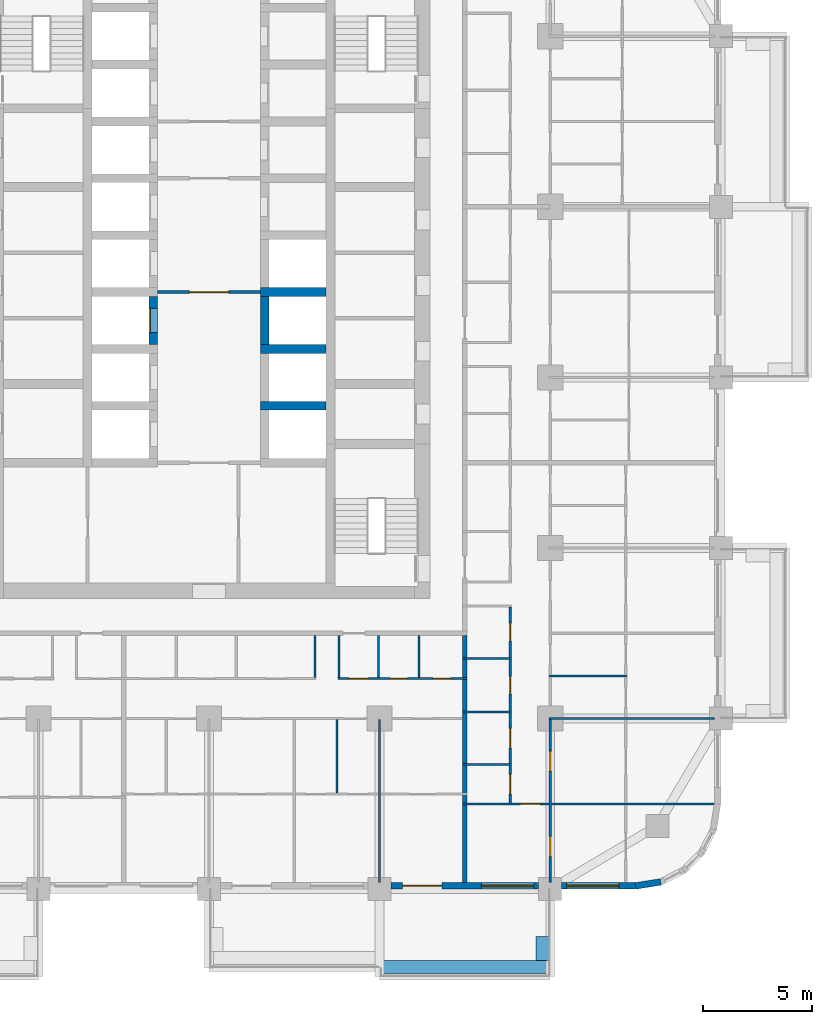
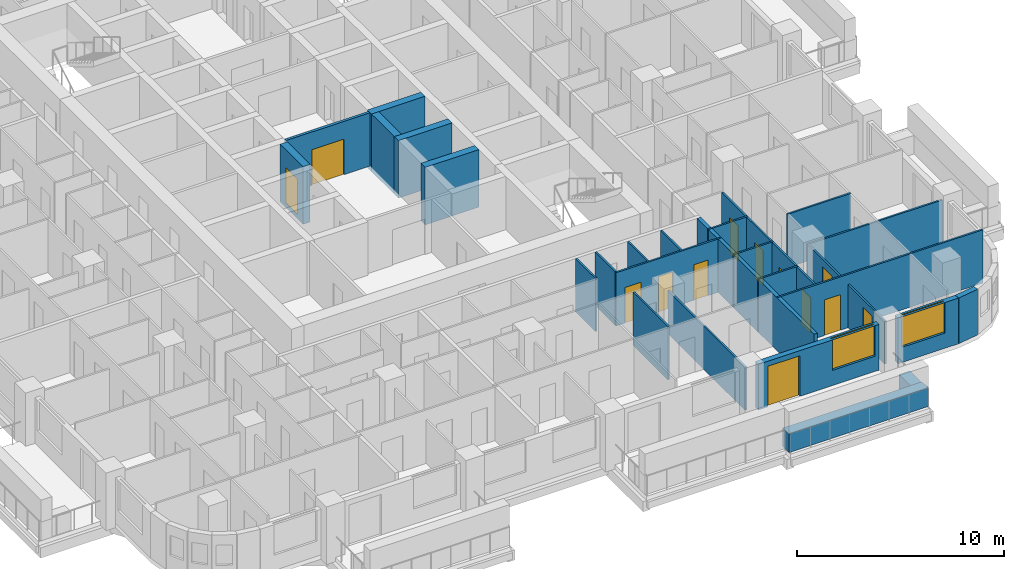
# One storey, part 7 of 18: 27 walls, 13 doors, 2 windows, 15 openings.
"""IFC4 building model written with IfcOpenShell, lengths in metres."""

from ifc_helpers import new_model, si_unit, direction, frame, frame_2d, origin, place, context, subcontext, project, spatial, rectangle, extrude, material, layer, layer_set, type_object, element, fill, save


model = new_model("IFC4")

# Units and contexts
model_context = context("Model", 3, precision=1e-05, world=origin(), true_north=direction((0.0, 1.0)))
body_context = subcontext(model_context, "Body", "Model", "MODEL_VIEW")
ifc_project = project(units=[si_unit("LENGTHUNIT", "METRE"), si_unit("AREAUNIT", "SQUARE_METRE"), si_unit("VOLUMEUNIT", "CUBIC_METRE"), si_unit("PLANEANGLEUNIT", "RADIAN"), si_unit("MASSUNIT", "GRAM", prefix="KILO")], contexts=[model_context])

# Site, building, storey
site_placement = place(None, origin())
site = spatial("IfcSite", under=ifc_project, at=site_placement, CompositionType="ELEMENT")
building_placement = place(site_placement, origin())
building = spatial("IfcBuilding", under=site, at=building_placement, Name="Ludao Terraces", CompositionType="ELEMENT")
storey_placement = place(building_placement, frame((0.0, 0.0, 33.10009765625)))
storey = spatial("IfcBuildingStorey", under=building, at=storey_placement, Name="L08", CompositionType="ELEMENT", Elevation=33.10009765625)

# Walls
ifc_material_1 = material(Name="Concrete C40", Category="concrete")
ifc_layer_1 = layer(ifc_material_1, 0.60009765625)
ifc_layer_set_1 = layer_set([ifc_layer_1], Name="ENV Planter trough 600")
wall_type_1 = type_object("IfcWallType", Name="ENV Planter trough 600", PredefinedType="USERDEFINED", material=ifc_layer_set_1)
wall_1_placement = place(storey_placement, frame((92.800048828125, 38.050048828125, 0.0), z_axis=(0.0, 0.0, 1.0), x_axis=(1.0, 0.0, 0.0)))
element("IfcWall", 1, at=wall_1_placement, inside=storey, type_object=wall_type_1, Name="PL-L08-S4", ObjectType="PLANTER", PredefinedType="USERDEFINED", context=body_context, shape_type="SweptSolid", body=[
    extrude(rectangle(XDim=7.800048828125, YDim=0.60009765625, at=frame_2d((3.89990234375, 0.0))), origin(), (0.0, 0.0, 1.0), 1.099853515625),
])
wall_2_placement = place(storey_placement, frame((100.25, 38.35009765625, 0.0), z_axis=(0.0, 0.0, 1.0), x_axis=(0.0, 1.0, 0.0)))
element("IfcWall", 2, at=wall_2_placement, inside=storey, type_object=wall_type_1, Name="PL-L08-S4-SB", ObjectType="PLANTER", PredefinedType="USERDEFINED", context=body_context, shape_type="SweptSolid", body=[
    extrude(rectangle(XDim=1.099853515625, YDim=0.60009765625, at=frame_2d((0.5498046875, 0.0))), origin(), (0.0, 0.0, 1.0), 1.099853515625),
])

# Wall, openings, door, window
ifc_material_2 = material(Name="Granite cladding", Category="masonry")
ifc_layer_2 = layer(ifc_material_2, 0.0400390625, Category="stone")
ifc_material_3 = material(Name="Mineral wool")
ifc_layer_3 = layer(ifc_material_3, 0.06005859375)
ifc_layer_4 = layer(ifc_material_1, 0.199951171875, Category="concrete")
ifc_layer_set_2 = layer_set([ifc_layer_2, ifc_layer_3, ifc_layer_4], Name="ENV Stone-clad wall 300")
wall_type_2 = type_object("IfcWallType", Name="ENV Stone-clad wall 300", PredefinedType="SOLIDWALL", material=ifc_layer_set_2)
wall_3_placement = place(storey_placement, frame((93.324951171875, 41.75, 0.0), z_axis=(0.0, 0.0, 1.0), x_axis=(1.0, 0.0, 0.0)))
wall_3 = element("IfcWall", 3, at=wall_3_placement, inside=storey, type_object=wall_type_2, Name="EW-L08-S5", PredefinedType="SOLIDWALL", context=body_context, shape_type="SweptSolid", body=[
    extrude(rectangle(XDim=6.75, YDim=0.300048828125, at=frame_2d((3.375, 0.0))), origin(), (0.0, 0.0, 1.0), 2.699951171875),
])
opening_1_placement = place(wall_3_placement, frame((0.52490234375, 0.0, 0.0)))
opening_1 = element("IfcOpeningElement", 4, at=opening_1_placement, cuts=wall_3, Name="Opening BD", PredefinedType="OPENING", context=body_context, shape_type="SweptSolid", body=[
    extrude(rectangle(XDim=1.800048828125, YDim=2.39990234375, at=frame_2d((0.89990234375, 1.199951171875))), frame((0.0, 0.16015625, 0.0), z_axis=(0.0, -1.0, 0.0), x_axis=(1.0, 0.0, 0.0)), (0.0, 0.0, 1.0), 0.320068359375),
])
opening_2_placement = place(wall_3_placement, frame((4.125, 0.0, 0.89990234375)))
opening_2 = element("IfcOpeningElement", 5, at=opening_2_placement, cuts=wall_3, Name="Opening W1", PredefinedType="OPENING", context=body_context, shape_type="SweptSolid", body=[
    extrude(rectangle(XDim=2.39990234375, YDim=1.800048828125, at=frame_2d((1.199951171875, 0.89990234375))), frame((0.0, 0.16015625, 0.0), z_axis=(0.0, -1.0, 0.0), x_axis=(1.0, 0.0, 0.0)), (0.0, 0.0, 1.0), 0.320068359375),
])
ifc_material_4 = material(Name="Aluminium glazed door", Category="aluminium")
ifc_layer_5 = layer(ifc_material_4, 0.06005859375)
ifc_layer_set_3 = layer_set([ifc_layer_5], Name="ENV Balcony door BD 1800x2400")
door_type_1 = type_object("IfcDoorType", Name="ENV Balcony door BD 1800x2400", OperationType="DOUBLE_DOOR_SINGLE_SWING", PredefinedType="DOOR", material=ifc_layer_set_3)
door_1_placement = place(opening_1_placement, origin())
door_1 = element("IfcDoor", 6, at=door_1_placement, inside=storey, type_object=door_type_1, Name="BD-L08-S5-1", OperationType="DOUBLE_DOOR_SINGLE_SWING", OverallHeight=2.39990234375, OverallWidth=1.800048828125, PredefinedType="DOOR", context=body_context, shape_type="SweptSolid", body=[
    extrude(rectangle(XDim=1.800048828125, YDim=2.39990234375, at=frame_2d((0.89990234375, 1.199951171875))), frame((0.0, 0.02490234375, 0.0), z_axis=(0.0, -1.0, 0.0), x_axis=(1.0, 0.0, 0.0)), (0.0, 0.0, 1.0), 0.050048828125),
])
fill(opening_1, door_1)
ifc_material_5 = material(Name="Clear glass in aluminium frame", Category="aluminium")
ifc_layer_6 = layer(ifc_material_5, 0.06005859375)
ifc_layer_set_4 = layer_set([ifc_layer_6], Name="ENV Window W1 2400x1800")
window_type = type_object("IfcWindowType", Name="ENV Window W1 2400x1800", PartitioningType="DOUBLE_PANEL_VERTICAL", PredefinedType="WINDOW", material=ifc_layer_set_4)
window_1_placement = place(opening_2_placement, origin())
window_1 = element("IfcWindow", 7, at=window_1_placement, inside=storey, type_object=window_type, Name="W-L08-S5-2", OverallHeight=1.800048828125, OverallWidth=2.39990234375, PartitioningType="DOUBLE_PANEL_VERTICAL", PredefinedType="WINDOW", context=body_context, shape_type="SweptSolid", body=[
    extrude(rectangle(XDim=2.39990234375, YDim=1.800048828125, at=frame_2d((1.199951171875, 0.89990234375))), frame((0.0, 0.030029296875, 0.0), z_axis=(0.0, -1.0, 0.0), x_axis=(1.0, 0.0, 0.0)), (0.0, 0.0, 1.0), 0.06005859375),
])
fill(opening_2, window_1)

# Wall, opening, window
wall_4_placement = place(storey_placement, frame((101.125, 41.75, 0.0), z_axis=(0.0, 0.0, 1.0), x_axis=(1.0, 0.0, 0.0)))
wall_4 = element("IfcWall", 8, at=wall_4_placement, inside=storey, type_object=wall_type_2, Name="EW-L08-S6", PredefinedType="SOLIDWALL", context=body_context, shape_type="SweptSolid", body=[
    extrude(rectangle(XDim=3.375, YDim=0.300048828125, at=frame_2d((1.6875, 0.0))), origin(), (0.0, 0.0, 1.0), 2.699951171875),
])
opening_3_placement = place(wall_4_placement, frame((0.22509765625, 0.0, 0.89990234375)))
opening_3 = element("IfcOpeningElement", 9, at=opening_3_placement, cuts=wall_4, Name="Opening W1", PredefinedType="OPENING", context=body_context, shape_type="SweptSolid", body=[
    extrude(rectangle(XDim=2.39990234375, YDim=1.800048828125, at=frame_2d((1.199951171875, 0.89990234375))), frame((0.0, 0.16015625, 0.0), z_axis=(0.0, -1.0, 0.0), x_axis=(1.0, 0.0, 0.0)), (0.0, 0.0, 1.0), 0.320068359375),
])
window_2_placement = place(opening_3_placement, origin())
window_2 = element("IfcWindow", 10, at=window_2_placement, inside=storey, type_object=window_type, Name="W-L08-S6-1", OverallHeight=1.800048828125, OverallWidth=2.39990234375, PartitioningType="DOUBLE_PANEL_VERTICAL", PredefinedType="WINDOW", context=body_context, shape_type="SweptSolid", body=[
    extrude(rectangle(XDim=2.39990234375, YDim=1.800048828125, at=frame_2d((1.199951171875, 0.89990234375))), frame((0.0, 0.030029296875, 0.0), z_axis=(0.0, -1.0, 0.0), x_axis=(1.0, 0.0, 0.0)), (0.0, 0.0, 1.0), 0.06005859375),
])
fill(opening_3, window_2)

# Wall
wall_5_placement = place(storey_placement, frame((104.5, 41.75, 0.0), z_axis=(0.0, 0.0, 1.0), x_axis=(0.987678452879, 0.156496880861, 0.0)))
element("IfcWall", 11, at=wall_5_placement, inside=storey, type_object=wall_type_2, Name="EW-L08-SE1", PredefinedType="SOLIDWALL", context=body_context, shape_type="SweptSolid", body=[
    extrude(rectangle(XDim=1.173095703125, YDim=0.300048828125, at=frame_2d((0.58642578125, 0.0))), origin(), (0.0, 0.0, 1.0), 2.699951171875),
])

# Wall, opening, door
ifc_material_6 = material(Name="Fire-rated gypsum plasterboard", Category="gypsum")
ifc_layer_7 = layer(ifc_material_6, 0.012451171875, Category="gypsum")
ifc_layer_8 = layer(ifc_material_3, 0.10009765625, Name="insulation")
ifc_material_7 = material(Name="Steel Q235", Category="steel")
ifc_layer_9 = layer(ifc_material_7, 0.02490234375, Name="stud")
ifc_layer_10 = layer(ifc_material_6, 0.012451171875, Category="gypsum")
ifc_layer_set_5 = layer_set([ifc_layer_7, ifc_layer_8, ifc_layer_9, ifc_layer_10], Name="INT Core partition 150")
wall_type_3 = type_object("IfcWallType", Name="INT Core partition 150", PredefinedType="PARTITIONING", material=ifc_layer_set_5)
wall_6_placement = place(storey_placement, frame((82.650146484375, 68.89990234375, 0.0), z_axis=(0.0, 0.0, 1.0), x_axis=(1.0, 0.0, 0.0)))
wall_6 = element("IfcWall", 12, at=wall_6_placement, inside=storey, type_object=wall_type_3, Name="PW-L08-PW047", PredefinedType="PARTITIONING", context=body_context, shape_type="SweptSolid", body=[
    extrude(rectangle(XDim=4.699951171875, YDim=0.14990234375, at=frame_2d((2.35009765625, 0.0))), origin(), (0.0, 0.0, 1.0), 3.14990234375),
])
opening_4_placement = place(wall_6_placement, frame((1.449951171875, 0.0, 0.0)))
opening_4 = element("IfcOpeningElement", 13, at=opening_4_placement, cuts=wall_6, Name="Opening R02-096", PredefinedType="OPENING", context=body_context, shape_type="SweptSolid", body=[
    extrude(rectangle(XDim=1.800048828125, YDim=2.10009765625, at=frame_2d((0.89990234375, 1.050048828125))), frame((0.0, 0.0849609375, 0.0), z_axis=(0.0, -1.0, 0.0), x_axis=(1.0, 0.0, 0.0)), (0.0, 0.0, 1.0), 0.169921875),
])
door_type_2 = type_object("IfcDoorType", Name="INT Fire lobby door 1800", OperationType="DOUBLE_DOOR_SINGLE_SWING", PredefinedType="DOOR", material=ifc_material_7)
door_2_placement = place(opening_4_placement, origin())
door_2 = element("IfcDoor", 14, at=door_2_placement, inside=storey, type_object=door_type_2, Name="DOOR 096", OperationType="DOUBLE_DOOR_SINGLE_SWING", OverallHeight=2.10009765625, OverallWidth=1.800048828125, PredefinedType="DOOR", context=body_context, shape_type="SweptSolid", body=[
    extrude(rectangle(XDim=1.800048828125, YDim=2.10009765625, at=frame_2d((0.89990234375, 1.050048828125))), frame((0.0, 0.02490234375, 0.0), z_axis=(0.0, -1.0, 0.0), x_axis=(1.0, 0.0, 0.0)), (0.0, 0.0, 1.0), 0.050048828125),
])
fill(opening_4, door_2)

ifc_material_8 = material(Name="Gypsum plasterboard", Category="gypsum")
ifc_layer_11 = layer(ifc_material_8, 0.012451171875, Category="gypsum")
ifc_layer_12 = layer(ifc_material_3, 0.06005859375, Name="insulation")
ifc_layer_13 = layer(ifc_material_7, 0.014892578125, Name="stud")
ifc_layer_14 = layer(ifc_material_8, 0.012451171875, Category="gypsum")
ifc_layer_set_6 = layer_set([ifc_layer_11, ifc_layer_12, ifc_layer_13, ifc_layer_14], Name="INT Partition 100")
wall_type_4 = type_object("IfcWallType", Name="INT Partition 100", PredefinedType="PARTITIONING", material=ifc_layer_set_6)
wall_7_placement = place(storey_placement, frame((96.60009765625, 45.5, 0.0), z_axis=(0.0, 0.0, 1.0), x_axis=(1.0, 0.0, 0.0)))
wall_7 = element("IfcWall", 15, at=wall_7_placement, inside=storey, type_object=wall_type_4, Name="PW-L08-PW001", PredefinedType="PARTITIONING", context=body_context, shape_type="SweptSolid", body=[
    extrude(rectangle(XDim=11.5, YDim=0.10009765625, at=frame_2d((5.75, 0.0))), origin(), (0.0, 0.0, 1.0), 3.14990234375),
])
opening_5_placement = place(wall_7_placement, frame((2.635009765625, 0.0, 0.0)))
opening_5 = element("IfcOpeningElement", 16, at=opening_5_placement, cuts=wall_7, Name="Opening R02-006", PredefinedType="OPENING", context=body_context, shape_type="SweptSolid", body=[
    extrude(rectangle(XDim=0.89990234375, YDim=2.10009765625, at=frame_2d((0.449951171875, 1.050048828125))), frame((0.0, 0.06005859375, 0.0), z_axis=(0.0, -1.0, 0.0), x_axis=(1.0, 0.0, 0.0)), (0.0, 0.0, 1.0), 0.1201171875),
])
ifc_material_9 = material(Name="Timber door leaf", Category="wood")
door_type_3 = type_object("IfcDoorType", Name="INT Room door 900", OperationType="SINGLE_SWING_LEFT", PredefinedType="DOOR", material=ifc_material_9)
door_3_placement = place(opening_5_placement, origin())
door_3 = element("IfcDoor", 17, at=door_3_placement, inside=storey, type_object=door_type_3, Name="DOOR 006", OperationType="SINGLE_SWING_LEFT", OverallHeight=2.10009765625, OverallWidth=0.89990234375, PredefinedType="DOOR", context=body_context, shape_type="SweptSolid", body=[
    extrude(rectangle(XDim=0.89990234375, YDim=2.10009765625, at=frame_2d((0.449951171875, 1.050048828125))), frame((0.0, 0.02490234375, 0.0), z_axis=(0.0, -1.0, 0.0), x_axis=(1.0, 0.0, 0.0)), (0.0, 0.0, 1.0), 0.050048828125),
])
fill(opening_5, door_3)

# Walls
wall_8_placement = place(storey_placement, frame((96.60009765625, 47.300048828125, 0.0), z_axis=(0.0, 0.0, 1.0), x_axis=(1.0, 0.0, 0.0)))
element("IfcWall", 18, at=wall_8_placement, inside=storey, type_object=wall_type_4, Name="PW-L08-PW004", PredefinedType="PARTITIONING", context=body_context, shape_type="SweptSolid", body=[
    extrude(rectangle(XDim=2.219970703125, YDim=0.10009765625, at=frame_2d((1.10986328125, 0.0))), origin(), (0.0, 0.0, 1.0), 3.14990234375),
])
wall_9_placement = place(storey_placement, frame((100.550048828125, 49.39990234375, 0.0), z_axis=(0.0, 0.0, 1.0), x_axis=(1.0, 0.0, 0.0)))
element("IfcWall", 19, at=wall_9_placement, inside=storey, type_object=wall_type_4, Name="PW-L08-PW008", PredefinedType="PARTITIONING", context=body_context, shape_type="SweptSolid", body=[
    extrude(rectangle(XDim=7.550048828125, YDim=0.10009765625, at=frame_2d((3.77490234375, 0.0))), origin(), (0.0, 0.0, 1.0), 2.5498046875),
])
wall_10_placement = place(storey_placement, frame((96.60009765625, 49.699951171875, 0.0), z_axis=(0.0, 0.0, 1.0), x_axis=(1.0, 0.0, 0.0)))
element("IfcWall", 20, at=wall_10_placement, inside=storey, type_object=wall_type_4, Name="PW-L08-PW009", PredefinedType="PARTITIONING", context=body_context, shape_type="SweptSolid", body=[
    extrude(rectangle(XDim=2.219970703125, YDim=0.10009765625, at=frame_2d((1.10986328125, 0.0))), origin(), (0.0, 0.0, 1.0), 3.14990234375),
])

# Wall, openings, doors
wall_11_placement = place(storey_placement, frame((90.900146484375, 51.22998046875, 0.0), z_axis=(0.0, 0.0, 1.0), x_axis=(1.0, 0.0, 0.0)))
wall_11 = element("IfcWall", 21, at=wall_11_placement, inside=storey, type_object=wall_type_4, Name="PW-L08-PW013", PredefinedType="PARTITIONING", context=body_context, shape_type="SweptSolid", body=[
    extrude(rectangle(XDim=5.89990234375, YDim=0.10009765625, at=frame_2d((2.949951171875, 0.0))), origin(), (0.0, 0.0, 1.0), 3.14990234375),
])
opening_6_placement = place(wall_11_placement, frame((0.5, 0.0, 0.0)))
opening_6 = element("IfcOpeningElement", 22, at=opening_6_placement, cuts=wall_11, Name="Opening R02-039", PredefinedType="OPENING", context=body_context, shape_type="SweptSolid", body=[
    extrude(rectangle(XDim=0.89990234375, YDim=2.10009765625, at=frame_2d((0.449951171875, 1.050048828125))), frame((0.0, 0.06005859375, 0.0), z_axis=(0.0, -1.0, 0.0), x_axis=(1.0, 0.0, 0.0)), (0.0, 0.0, 1.0), 0.1201171875),
])
opening_7_placement = place(wall_11_placement, frame((2.375, 0.0, 0.0)))
opening_7 = element("IfcOpeningElement", 23, at=opening_7_placement, cuts=wall_11, Name="Opening R02-040", PredefinedType="OPENING", context=body_context, shape_type="SweptSolid", body=[
    extrude(rectangle(XDim=0.800048828125, YDim=2.10009765625, at=frame_2d((0.39990234375, 1.050048828125))), frame((0.0, 0.06005859375, 0.0), z_axis=(0.0, -1.0, 0.0), x_axis=(1.0, 0.0, 0.0)), (0.0, 0.0, 1.0), 0.1201171875),
])
opening_8_placement = place(wall_11_placement, frame((4.35009765625, 0.0, 0.0)))
opening_8 = element("IfcOpeningElement", 24, at=opening_8_placement, cuts=wall_11, Name="Opening R02-041", PredefinedType="OPENING", context=body_context, shape_type="SweptSolid", body=[
    extrude(rectangle(XDim=0.800048828125, YDim=2.10009765625, at=frame_2d((0.39990234375, 1.050048828125))), frame((0.0, 0.06005859375, 0.0), z_axis=(0.0, -1.0, 0.0), x_axis=(1.0, 0.0, 0.0)), (0.0, 0.0, 1.0), 0.1201171875),
])
door_type_4 = type_object("IfcDoorType", Name="INT Bathroom door 900", OperationType="SINGLE_SWING_LEFT", PredefinedType="DOOR", material=ifc_material_9)
door_4_placement = place(opening_6_placement, origin())
door_4 = element("IfcDoor", 25, at=door_4_placement, inside=storey, type_object=door_type_4, Name="DOOR 039", OperationType="SINGLE_SWING_LEFT", OverallHeight=2.10009765625, OverallWidth=0.89990234375, PredefinedType="DOOR", context=body_context, shape_type="SweptSolid", body=[
    extrude(rectangle(XDim=0.89990234375, YDim=2.10009765625, at=frame_2d((0.449951171875, 1.050048828125))), frame((0.0, 0.02490234375, 0.0), z_axis=(0.0, -1.0, 0.0), x_axis=(1.0, 0.0, 0.0)), (0.0, 0.0, 1.0), 0.050048828125),
])
fill(opening_6, door_4)
door_type_5 = type_object("IfcDoorType", Name="INT Store door 800", OperationType="SINGLE_SWING_LEFT", PredefinedType="DOOR", material=ifc_material_9)
door_5_placement = place(opening_7_placement, origin())
door_5 = element("IfcDoor", 26, at=door_5_placement, inside=storey, type_object=door_type_5, Name="DOOR 040", OperationType="SINGLE_SWING_LEFT", OverallHeight=2.10009765625, OverallWidth=0.800048828125, PredefinedType="DOOR", context=body_context, shape_type="SweptSolid", body=[
    extrude(rectangle(XDim=0.800048828125, YDim=2.10009765625, at=frame_2d((0.39990234375, 1.050048828125))), frame((0.0, 0.02490234375, 0.0), z_axis=(0.0, -1.0, 0.0), x_axis=(1.0, 0.0, 0.0)), (0.0, 0.0, 1.0), 0.050048828125),
])
fill(opening_7, door_5)
door_6_placement = place(opening_8_placement, origin())
door_6 = element("IfcDoor", 27, at=door_6_placement, inside=storey, type_object=door_type_5, Name="DOOR 041", OperationType="SINGLE_SWING_RIGHT", OverallHeight=2.10009765625, OverallWidth=0.800048828125, PredefinedType="DOOR", context=body_context, shape_type="SweptSolid", body=[
    extrude(rectangle(XDim=0.800048828125, YDim=2.10009765625, at=frame_2d((0.39990234375, 1.050048828125))), frame((0.0, 0.02490234375, 0.0), z_axis=(0.0, -1.0, 0.0), x_axis=(1.0, 0.0, 0.0)), (0.0, 0.0, 1.0), 0.050048828125),
])
fill(opening_8, door_6)

# Walls
wall_12_placement = place(storey_placement, frame((100.550048828125, 51.35009765625, 0.0), z_axis=(0.0, 0.0, 1.0), x_axis=(1.0, 0.0, 0.0)))
element("IfcWall", 28, at=wall_12_placement, inside=storey, type_object=wall_type_4, Name="PW-L08-PW015", PredefinedType="PARTITIONING", context=body_context, shape_type="SweptSolid", body=[
    extrude(rectangle(XDim=3.550048828125, YDim=0.10009765625, at=frame_2d((1.77490234375, 0.0))), origin(), (0.0, 0.0, 1.0), 3.14990234375),
])
wall_13_placement = place(storey_placement, frame((96.60009765625, 52.14990234375, 0.0), z_axis=(0.0, 0.0, 1.0), x_axis=(1.0, 0.0, 0.0)))
element("IfcWall", 29, at=wall_13_placement, inside=storey, type_object=wall_type_4, Name="PW-L08-PW016", PredefinedType="PARTITIONING", context=body_context, shape_type="SweptSolid", body=[
    extrude(rectangle(XDim=2.219970703125, YDim=0.10009765625, at=frame_2d((1.10986328125, 0.0))), origin(), (0.0, 0.0, 1.0), 3.14990234375),
])
wall_14_placement = place(storey_placement, frame((89.85009765625, 51.280029296875, 0.0), z_axis=(0.0, 0.0, 1.0), x_axis=(0.0, 1.0, 0.0)))
element("IfcWall", 30, at=wall_14_placement, inside=storey, type_object=wall_type_4, Name="PW-L08-PW108", PredefinedType="PARTITIONING", context=body_context, shape_type="SweptSolid", body=[
    extrude(rectangle(XDim=1.920166015625, YDim=0.10009765625, at=frame_2d((0.9599609375, 0.0))), origin(), (0.0, 0.0, 1.0), 3.14990234375),
])
wall_15_placement = place(storey_placement, frame((90.85009765625, 46.0, 0.0), z_axis=(0.0, 0.0, 1.0), x_axis=(0.0, 1.0, 0.0)))
element("IfcWall", 31, at=wall_15_placement, inside=storey, type_object=wall_type_4, Name="PW-L08-PW109", PredefinedType="PARTITIONING", context=body_context, shape_type="SweptSolid", body=[
    extrude(rectangle(XDim=3.35009765625, YDim=0.10009765625, at=frame_2d((1.675048828125, 0.0))), origin(), (0.0, 0.0, 1.0), 3.14990234375),
])
for number, where, z_axis, x_axis, name in (
    (32, (90.949951171875, 51.280029296875, 0.0), (0.0, 0.0, 1.0), (0.0, 1.0, 0.0), "PW-L08-PW110"),
    (33, (92.75, 51.280029296875, 0.0), (0.0, 0.0, 1.0), (0.0, 1.0, 0.0), "PW-L08-PW111"),
):
    element("IfcWall", number, at=place(storey_placement, frame(where, z_axis=z_axis, x_axis=x_axis)), inside=storey, type_object=wall_type_4, Name=name, PredefinedType="PARTITIONING", context=body_context, shape_type="SweptSolid", body=[
        extrude(rectangle(XDim=1.920166015625, YDim=0.10009765625, at=frame_2d((0.9599609375, 0.0))), origin(), (0.0, 0.0, 1.0), 3.14990234375),
    ])
wall_16_placement = place(storey_placement, frame((92.800048828125, 41.900146484375, 0.0), z_axis=(0.0, 0.0, 1.0), x_axis=(0.0, 1.0, 0.0)))
element("IfcWall", 34, at=wall_16_placement, inside=storey, type_object=wall_type_4, Name="PW-L08-PW112", PredefinedType="PARTITIONING", context=body_context, shape_type="SweptSolid", body=[
    extrude(rectangle(XDim=7.449951171875, YDim=0.10009765625, at=frame_2d((3.72509765625, 0.0))), origin(), (0.0, 0.0, 1.0), 2.5498046875),
])
wall_17_placement = place(storey_placement, frame((94.60009765625, 51.280029296875, 0.0), z_axis=(0.0, 0.0, 1.0), x_axis=(0.0, 1.0, 0.0)))
element("IfcWall", 35, at=wall_17_placement, inside=storey, type_object=wall_type_4, Name="PW-L08-PW114", PredefinedType="PARTITIONING", context=body_context, shape_type="SweptSolid", body=[
    extrude(rectangle(XDim=1.920166015625, YDim=0.10009765625, at=frame_2d((0.9599609375, 0.0))), origin(), (0.0, 0.0, 1.0), 3.14990234375),
])

# Wall, openings, doors
wall_18_placement = place(storey_placement, frame((98.77001953125, 45.550048828125, 0.0), z_axis=(0.0, 0.0, 1.0), x_axis=(0.0, 1.0, 0.0)))
wall_18 = element("IfcWall", 36, at=wall_18_placement, inside=storey, type_object=wall_type_4, Name="PW-L08-PW118", PredefinedType="PARTITIONING", context=body_context, shape_type="SweptSolid", body=[
    extrude(rectangle(XDim=8.949951171875, YDim=0.10009765625, at=frame_2d((4.47509765625, 0.0))), origin(), (0.0, 0.0, 1.0), 3.14990234375),
])
opening_9_placement = place(wall_18_placement, frame((0.39990234375, 0.0, 0.0)))
opening_9 = element("IfcOpeningElement", 37, at=opening_9_placement, cuts=wall_18, Name="Opening R02-016", PredefinedType="OPENING", context=body_context, shape_type="SweptSolid", body=[
    extrude(rectangle(XDim=0.89990234375, YDim=2.10009765625, at=frame_2d((0.449951171875, 1.050048828125))), frame((0.0, 0.06005859375, 0.0), z_axis=(0.0, -1.0, 0.0), x_axis=(1.0, 0.0, 0.0)), (0.0, 0.0, 1.0), 0.1201171875),
])
opening_10_placement = place(wall_18_placement, frame((2.5, 0.0, 0.0)))
opening_10 = element("IfcOpeningElement", 38, at=opening_10_placement, cuts=wall_18, Name="Opening R02-022", PredefinedType="OPENING", context=body_context, shape_type="SweptSolid", body=[
    extrude(rectangle(XDim=0.89990234375, YDim=2.10009765625, at=frame_2d((0.449951171875, 1.050048828125))), frame((0.0, 0.06005859375, 0.0), z_axis=(0.0, -1.0, 0.0), x_axis=(1.0, 0.0, 0.0)), (0.0, 0.0, 1.0), 0.1201171875),
])
opening_11_placement = place(wall_18_placement, frame((4.97509765625, 0.0, 0.0)))
opening_11 = element("IfcOpeningElement", 39, at=opening_11_placement, cuts=wall_18, Name="Opening R02-032", PredefinedType="OPENING", context=body_context, shape_type="SweptSolid", body=[
    extrude(rectangle(XDim=0.800048828125, YDim=2.10009765625, at=frame_2d((0.39990234375, 1.050048828125))), frame((0.0, 0.06005859375, 0.0), z_axis=(0.0, -1.0, 0.0), x_axis=(1.0, 0.0, 0.0)), (0.0, 0.0, 1.0), 0.1201171875),
])
opening_12_placement = place(wall_18_placement, frame((7.39990234375, 0.0, 0.0)))
opening_12 = element("IfcOpeningElement", 40, at=opening_12_placement, cuts=wall_18, Name="Opening R02-049", PredefinedType="OPENING", context=body_context, shape_type="SweptSolid", body=[
    extrude(rectangle(XDim=0.800048828125, YDim=2.10009765625, at=frame_2d((0.39990234375, 1.050048828125))), frame((0.0, 0.06005859375, 0.0), z_axis=(0.0, -1.0, 0.0), x_axis=(1.0, 0.0, 0.0)), (0.0, 0.0, 1.0), 0.1201171875),
])
door_7_placement = place(opening_9_placement, origin())
door_7 = element("IfcDoor", 41, at=door_7_placement, inside=storey, type_object=door_type_4, Name="DOOR 016", OperationType="SINGLE_SWING_LEFT", OverallHeight=2.10009765625, OverallWidth=0.89990234375, PredefinedType="DOOR", context=body_context, shape_type="SweptSolid", body=[
    extrude(rectangle(XDim=0.89990234375, YDim=2.10009765625, at=frame_2d((0.449951171875, 1.050048828125))), frame((0.0, 0.02490234375, 0.0), z_axis=(0.0, -1.0, 0.0), x_axis=(1.0, 0.0, 0.0)), (0.0, 0.0, 1.0), 0.050048828125),
])
fill(opening_9, door_7)
door_8_placement = place(opening_10_placement, origin())
door_8 = element("IfcDoor", 42, at=door_8_placement, inside=storey, type_object=door_type_4, Name="DOOR 022", OperationType="SINGLE_SWING_LEFT", OverallHeight=2.10009765625, OverallWidth=0.89990234375, PredefinedType="DOOR", context=body_context, shape_type="SweptSolid", body=[
    extrude(rectangle(XDim=0.89990234375, YDim=2.10009765625, at=frame_2d((0.449951171875, 1.050048828125))), frame((0.0, 0.02490234375, 0.0), z_axis=(0.0, -1.0, 0.0), x_axis=(1.0, 0.0, 0.0)), (0.0, 0.0, 1.0), 0.050048828125),
])
fill(opening_10, door_8)
door_9_placement = place(opening_11_placement, origin())
door_9 = element("IfcDoor", 43, at=door_9_placement, inside=storey, type_object=door_type_5, Name="DOOR 032", OperationType="SINGLE_SWING_RIGHT", OverallHeight=2.10009765625, OverallWidth=0.800048828125, PredefinedType="DOOR", context=body_context, shape_type="SweptSolid", body=[
    extrude(rectangle(XDim=0.800048828125, YDim=2.10009765625, at=frame_2d((0.39990234375, 1.050048828125))), frame((0.0, 0.02490234375, 0.0), z_axis=(0.0, -1.0, 0.0), x_axis=(1.0, 0.0, 0.0)), (0.0, 0.0, 1.0), 0.050048828125),
])
fill(opening_11, door_9)
door_10_placement = place(opening_12_placement, origin())
door_10 = element("IfcDoor", 44, at=door_10_placement, inside=storey, type_object=door_type_5, Name="DOOR 049", OperationType="SINGLE_SWING_RIGHT", OverallHeight=2.10009765625, OverallWidth=0.800048828125, PredefinedType="DOOR", context=body_context, shape_type="SweptSolid", body=[
    extrude(rectangle(XDim=0.800048828125, YDim=2.10009765625, at=frame_2d((0.39990234375, 1.050048828125))), frame((0.0, 0.02490234375, 0.0), z_axis=(0.0, -1.0, 0.0), x_axis=(1.0, 0.0, 0.0)), (0.0, 0.0, 1.0), 0.050048828125),
])
fill(opening_12, door_10)

wall_19_placement = place(storey_placement, frame((100.60009765625, 41.900146484375, 0.0), z_axis=(0.0, 0.0, 1.0), x_axis=(0.0, 1.0, 0.0)))
wall_19 = element("IfcWall", 45, at=wall_19_placement, inside=storey, type_object=wall_type_4, Name="PW-L08-PW122", PredefinedType="PARTITIONING", context=body_context, shape_type="SweptSolid", body=[
    extrude(rectangle(XDim=7.499755859375, YDim=0.10009765625, at=frame_2d((3.75, 0.0))), origin(), (0.0, 0.0, 1.0), 2.5498046875),
])
opening_13_placement = place(wall_19_placement, frame((1.199951171875, 0.0, 0.0)))
opening_13 = element("IfcOpeningElement", 46, at=opening_13_placement, cuts=wall_19, Name="Opening R02-003", PredefinedType="OPENING", context=body_context, shape_type="SweptSolid", body=[
    extrude(rectangle(XDim=0.89990234375, YDim=2.10009765625, at=frame_2d((0.449951171875, 1.050048828125))), frame((0.0, 0.06005859375, 0.0), z_axis=(0.0, -1.0, 0.0), x_axis=(1.0, 0.0, 0.0)), (0.0, 0.0, 1.0), 0.1201171875),
])
opening_14_placement = place(wall_19_placement, frame((5.10009765625, 0.0, 0.0)))
opening_14 = element("IfcOpeningElement", 47, at=opening_14_placement, cuts=wall_19, Name="Opening R02-020", PredefinedType="OPENING", context=body_context, shape_type="SweptSolid", body=[
    extrude(rectangle(XDim=0.89990234375, YDim=2.10009765625, at=frame_2d((0.449951171875, 1.050048828125))), frame((0.0, 0.06005859375, 0.0), z_axis=(0.0, -1.0, 0.0), x_axis=(1.0, 0.0, 0.0)), (0.0, 0.0, 1.0), 0.1201171875),
])
door_11_placement = place(opening_13_placement, origin())
door_11 = element("IfcDoor", 48, at=door_11_placement, inside=storey, type_object=door_type_3, Name="DOOR 003", OperationType="SINGLE_SWING_RIGHT", OverallHeight=2.10009765625, OverallWidth=0.89990234375, PredefinedType="DOOR", context=body_context, shape_type="SweptSolid", body=[
    extrude(rectangle(XDim=0.89990234375, YDim=2.10009765625, at=frame_2d((0.449951171875, 1.050048828125))), frame((0.0, 0.02490234375, 0.0), z_axis=(0.0, -1.0, 0.0), x_axis=(1.0, 0.0, 0.0)), (0.0, 0.0, 1.0), 0.050048828125),
])
fill(opening_13, door_11)
door_12_placement = place(opening_14_placement, origin())
door_12 = element("IfcDoor", 49, at=door_12_placement, inside=storey, type_object=door_type_3, Name="DOOR 020", OperationType="SINGLE_SWING_RIGHT", OverallHeight=2.10009765625, OverallWidth=0.89990234375, PredefinedType="DOOR", context=body_context, shape_type="SweptSolid", body=[
    extrude(rectangle(XDim=0.89990234375, YDim=2.10009765625, at=frame_2d((0.449951171875, 1.050048828125))), frame((0.0, 0.02490234375, 0.0), z_axis=(0.0, -1.0, 0.0), x_axis=(1.0, 0.0, 0.0)), (0.0, 0.0, 1.0), 0.050048828125),
])
fill(opening_14, door_12)

# Wall
ifc_material_10 = material(Name="Autoclaved aerated concrete block B06 A3.5", Category="concrete")
ifc_layer_15 = layer(ifc_material_10, 0.199951171875)
ifc_layer_set_7 = layer_set([ifc_layer_15], Name="INT Party wall 200")
wall_type_5 = type_object("IfcWallType", Name="INT Party wall 200", PredefinedType="PARTITIONING", material=ifc_layer_set_7)
wall_20_placement = place(storey_placement, frame((96.699951171875, 41.900146484375, 0.0), z_axis=(0.0, 0.0, 1.0), x_axis=(0.0, 1.0, 0.0)))
element("IfcWall", 50, at=wall_20_placement, inside=storey, type_object=wall_type_5, Name="PW-L08-PW115", PredefinedType="PARTITIONING", context=body_context, shape_type="SweptSolid", body=[
    extrude(rectangle(XDim=11.300048828125, YDim=0.199951171875, at=frame_2d((5.64990234375, 0.0))), origin(), (0.0, 0.0, 1.0), 3.14990234375),
])

# Wall, opening, door
ifc_material_11 = material(Name="Concrete C60", Category="concrete")
ifc_layer_16 = layer(ifc_material_11, 0.39990234375)
ifc_layer_set_8 = layer_set([ifc_layer_16], Name="Shaft wall 400 C60")
wall_type_6 = type_object("IfcWallType", Name="Shaft wall 400 C60", PredefinedType="SOLIDWALL", material=ifc_layer_set_8)
wall_21_placement = place(storey_placement, frame((82.449951171875, 66.5, -0.25), z_axis=(0.0, 0.0, 1.0), x_axis=(0.0, 1.0, 0.0)))
wall_21 = element("IfcWall", 51, at=wall_21_placement, inside=storey, type_object=wall_type_6, Name="Core wall L08 front-W3", PredefinedType="SOLIDWALL", context=body_context, shape_type="SweptSolid", body=[
    extrude(rectangle(XDim=2.199951171875, YDim=0.39990234375, at=frame_2d((1.10009765625, 0.0))), origin(), (0.0, 0.0, 1.0), 3.39990234375),
])
opening_15_placement = place(wall_21_placement, frame((0.550048828125, 0.0, 0.25)))
opening_15 = element("IfcOpeningElement", 52, at=opening_15_placement, cuts=wall_21, Name="Opening LD-LA3", PredefinedType="OPENING", context=body_context, shape_type="SweptSolid", body=[
    extrude(rectangle(XDim=1.10009765625, YDim=2.10009765625, at=frame_2d((0.550048828125, 1.050048828125))), frame((0.0, 0.2099609375, 0.0), z_axis=(0.0, -1.0, 0.0), x_axis=(1.0, 0.0, 0.0)), (0.0, 0.0, 1.0), 0.419921875),
])
ifc_material_12 = material(Name="Stainless steel 304", Category="steel")
door_type_6 = type_object("IfcDoorType", Name="INT Lift landing door 1100", OperationType="SLIDING_TO_LEFT", PredefinedType="DOOR", material=ifc_material_12)
door_13_placement = place(opening_15_placement, origin())
door_13 = element("IfcDoor", 53, at=door_13_placement, inside=storey, type_object=door_type_6, Name="LANDING DOOR LA3 L08", OperationType="SLIDING_TO_RIGHT", OverallHeight=2.10009765625, OverallWidth=1.10009765625, PredefinedType="DOOR", context=body_context, shape_type="SweptSolid", body=[
    extrude(rectangle(XDim=1.10009765625, YDim=2.10009765625, at=frame_2d((0.550048828125, 1.050048828125))), frame((0.0, 0.18505859375, 0.0), z_axis=(0.0, -1.0, 0.0), x_axis=(1.0, 0.0, 0.0)), (0.0, 0.0, 1.0), 0.050048828125),
])
fill(opening_15, door_13)

# Walls
for number, where, z_axis, x_axis, name in (
    (54, (87.35009765625, 63.699951171875, -0.25), (0.0, 0.0, 1.0), (1.0, 0.0, 0.0), "Core wall L08 div-E2"),
    (55, (87.35009765625, 66.300048828125, -0.25), (0.0, 0.0, 1.0), (1.0, 0.0, 0.0), "Core wall L08 div-E3"),
):
    element("IfcWall", number, at=place(storey_placement, frame(where, z_axis=z_axis, x_axis=x_axis)), inside=storey, type_object=wall_type_6, Name=name, PredefinedType="SOLIDWALL", context=body_context, shape_type="SweptSolid", body=[
        extrude(rectangle(XDim=3.0, YDim=0.39990234375, at=frame_2d((1.5, 0.0))), origin(), (0.0, 0.0, 1.0), 3.39990234375),
    ])
wall_22_placement = place(storey_placement, frame((87.550048828125, 66.5, -0.25), z_axis=(0.0, 0.0, 1.0), x_axis=(0.0, 1.0, 0.0)))
element("IfcWall", 56, at=wall_22_placement, inside=storey, type_object=wall_type_6, Name="Core wall L08 front-E3", PredefinedType="SOLIDWALL", context=body_context, shape_type="SweptSolid", body=[
    extrude(rectangle(XDim=2.199951171875, YDim=0.39990234375, at=frame_2d((1.10009765625, 0.0))), origin(), (0.0, 0.0, 1.0), 3.39990234375),
])
wall_23_placement = place(storey_placement, frame((87.35009765625, 68.89990234375, -0.25), z_axis=(0.0, 0.0, 1.0), x_axis=(1.0, 0.0, 0.0)))
element("IfcWall", 57, at=wall_23_placement, inside=storey, type_object=wall_type_6, Name="Core wall L08 div-E4", PredefinedType="SOLIDWALL", context=body_context, shape_type="SweptSolid", body=[
    extrude(rectangle(XDim=3.0, YDim=0.39990234375, at=frame_2d((1.5, 0.0))), origin(), (0.0, 0.0, 1.0), 3.39990234375),
])

save(model, "model.ifc")
